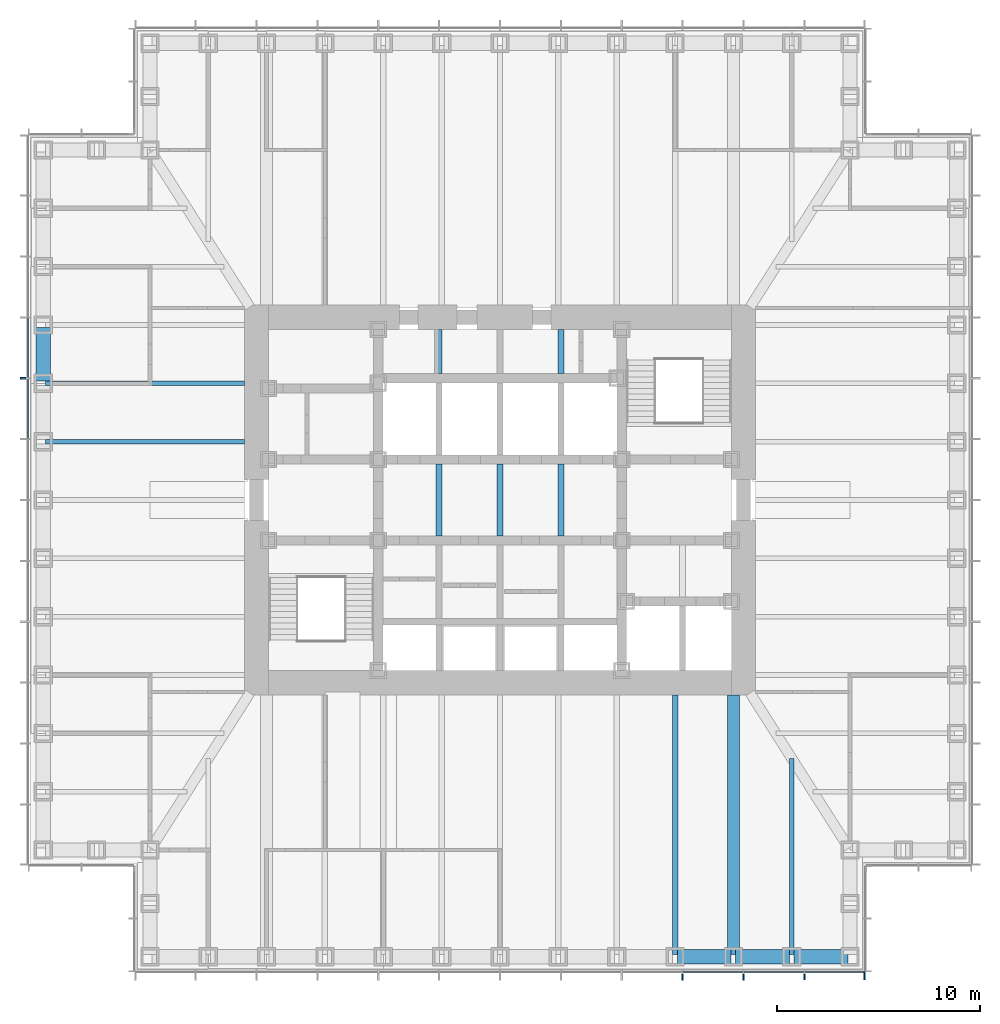
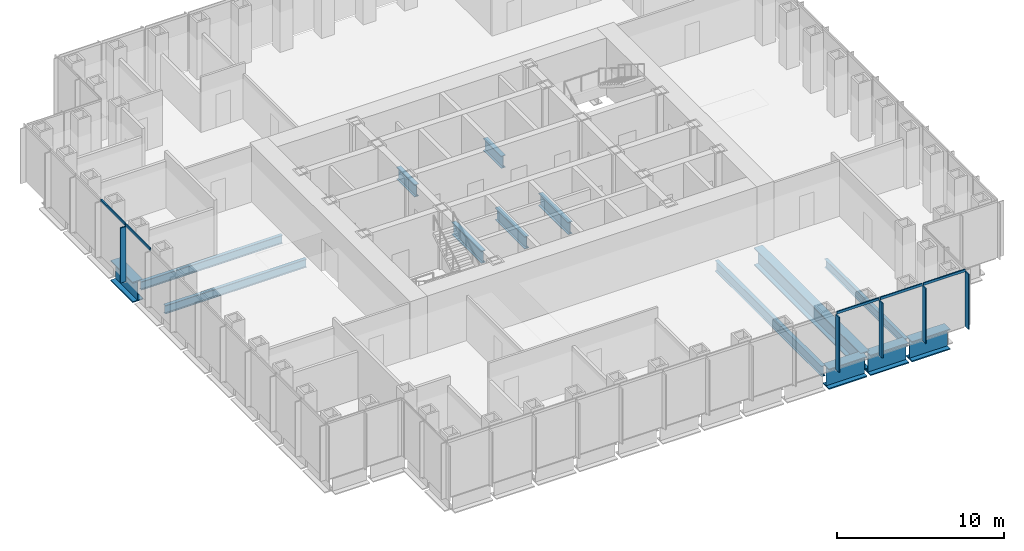
# One storey, part 3 of 17: 14 beams, 10 members, 2 elements without a shape of their own.
"""IFC4 building model written with IfcOpenShell, lengths in metres."""

from ifc_helpers import new_model, si_unit, direction, frame, origin, origin_2d, place, context, subcontext, project, spatial, rectangle, i_section, extrude, material, material_profile, profile_set, type_object, element, aggregate, save


model = new_model("IFC4")

# Units and contexts
model_context = context("Model", 3, precision=1e-05, world=origin(), true_north=direction((0.0, 1.0)))
body_context = subcontext(model_context, "Body", "Model", "MODEL_VIEW")
ifc_project = project(units=[si_unit("LENGTHUNIT", "METRE"), si_unit("AREAUNIT", "SQUARE_METRE"), si_unit("VOLUMEUNIT", "CUBIC_METRE"), si_unit("PLANEANGLEUNIT", "RADIAN"), si_unit("MASSUNIT", "GRAM", prefix="KILO")], contexts=[model_context])

# Site, building, storey
site_placement = place(None, origin())
site = spatial("IfcSite", under=ifc_project, at=site_placement, CompositionType="ELEMENT")
building_placement = place(site_placement, origin())
building = spatial("IfcBuilding", under=site, at=building_placement, Name="Daluyong Arena Tower", CompositionType="ELEMENT")
storey_placement = place(building_placement, frame((0.0, 0.0, 154.300048828125)))
storey = spatial("IfcBuildingStorey", under=building, at=storey_placement, Name="L34", CompositionType="ELEMENT", Elevation=154.300048828125)

# Curtain wall, members
ifc_material_1 = material(Name="Bronze anodised aluminium and glass", Category="aluminium")
curtain_wall_type = type_object("IfcCurtainWallType", Name="Curtain wall CW2", PredefinedType="USERDEFINED", material=ifc_material_1)
curtain_wall_1_placement = place(storey_placement, origin())
curtain_wall_1 = element("IfcCurtainWall", 1, at=curtain_wall_1_placement, inside=storey, type_object=curtain_wall_type, Name="curtain wall L34 S", ObjectType="UNITISED CURTAIN WALL", PredefinedType="USERDEFINED")
ifc_material_2 = material(Name="Bronze anodised aluminium fin", Category="aluminium")
ifc_material_profile_1 = material_profile(ifc_material_2, rectangle(XDim=0.39990234375, YDim=0.080078125, at=origin_2d()))
ifc_profile_set_1 = profile_set([ifc_material_profile_1], Name="Bronze anodised aluminium fin")
member_type_1 = type_object("IfcMemberType", Name="CW2 bronze fin 400x80", PredefinedType="MULLION", material=ifc_profile_set_1)
member_1_placement = place(storey_placement, frame((65.0, 56.550048828125, 0.0), z_axis=(0.0, 0.0, 1.0), x_axis=(0.0, 1.0, 0.0)))
member_1 = element("IfcMember", 2, at=member_1_placement, type_object=member_type_1, Name="curtain wall L34 S fin 10", PredefinedType="MULLION", context=body_context, shape_type="SweptSolid", body=[
    extrude(rectangle(XDim=0.39990234375, YDim=0.080078125, at=origin_2d()), origin(), (0.0, 0.0, 1.0), 4.02001953125),
])
member_2_placement = place(storey_placement, frame((68.0, 56.550048828125, 0.0), z_axis=(0.0, 0.0, 1.0), x_axis=(0.0, 1.0, 0.0)))
member_2 = element("IfcMember", 3, at=member_2_placement, type_object=member_type_1, Name="curtain wall L34 S fin 11", PredefinedType="MULLION", context=body_context, shape_type="SweptSolid", body=[
    extrude(rectangle(XDim=0.39990234375, YDim=0.080078125, at=origin_2d()), origin(), (0.0, 0.0, 1.0), 4.02001953125),
])
member_3_placement = place(storey_placement, frame((71.0, 56.550048828125, 0.0), z_axis=(0.0, 0.0, 1.0), x_axis=(0.0, 1.0, 0.0)))
member_3 = element("IfcMember", 4, at=member_3_placement, type_object=member_type_1, Name="curtain wall L34 S fin 12", PredefinedType="MULLION", context=body_context, shape_type="SweptSolid", body=[
    extrude(rectangle(XDim=0.39990234375, YDim=0.080078125, at=origin_2d()), origin(), (0.0, 0.0, 1.0), 4.02001953125),
])
member_4_placement = place(storey_placement, frame((73.9599609375, 56.550048828125, 0.0), z_axis=(0.0, 0.0, 1.0), x_axis=(0.0, 1.0, 0.0)))
member_4 = element("IfcMember", 5, at=member_4_placement, type_object=member_type_1, Name="curtain wall L34 S fin 13", PredefinedType="MULLION", context=body_context, shape_type="SweptSolid", body=[
    extrude(rectangle(XDim=0.39990234375, YDim=0.080078125, at=origin_2d()), origin(), (0.0, 0.0, 1.0), 4.02001953125),
])

# Curtain wall, member
curtain_wall_2_placement = place(storey_placement, origin())
curtain_wall_2 = element("IfcCurtainWall", 6, at=curtain_wall_2_placement, inside=storey, type_object=curtain_wall_type, Name="curtain wall L34 W", ObjectType="UNITISED CURTAIN WALL", PredefinedType="USERDEFINED")
member_5_placement = place(storey_placement, frame((32.550048828125, 86.0, 0.0), z_axis=(0.0, 0.0, 1.0), x_axis=(1.0, 0.0, 0.0)))
member_5 = element("IfcMember", 7, at=member_5_placement, type_object=member_type_1, Name="curtain wall L34 W fin 5", PredefinedType="MULLION", context=body_context, shape_type="SweptSolid", body=[
    extrude(rectangle(XDim=0.39990234375, YDim=0.080078125, at=origin_2d()), origin(), (0.0, 0.0, 1.0), 4.02001953125),
])

# Member
ifc_material_3 = material(Name="Bronze anodised aluminium", Category="aluminium")
ifc_material_profile_2 = material_profile(ifc_material_3, rectangle(XDim=0.080078125, YDim=0.179931640625, at=origin_2d()))
ifc_profile_set_2 = profile_set([ifc_material_profile_2], Name="Bronze anodised aluminium")
member_type_2 = type_object("IfcMemberType", Name="CW2 stack transom 180x80", PredefinedType="USERDEFINED", material=ifc_profile_set_2)
member_6_placement = place(storey_placement, frame((65.0400390625, 56.75, 4.10986328125), z_axis=(1.0, 0.0, 0.0), x_axis=(0.0, 1.0, 0.0)))
member_6 = element("IfcMember", 8, at=member_6_placement, type_object=member_type_2, Name="curtain wall L34 S transom 10", ObjectType="TRANSOM", PredefinedType="USERDEFINED", context=body_context, shape_type="SweptSolid", body=[
    extrude(rectangle(XDim=0.080078125, YDim=0.179931640625, at=origin_2d()), origin(), (0.0, 0.0, 1.0), 2.919921875),
])

member_7_placement = place(storey_placement, frame((68.0400390625, 56.75, 4.10986328125), z_axis=(1.0, 0.0, 0.0), x_axis=(0.0, 1.0, 0.0)))
member_7 = element("IfcMember", 9, at=member_7_placement, type_object=member_type_2, Name="curtain wall L34 S transom 11", ObjectType="TRANSOM", PredefinedType="USERDEFINED", context=body_context, shape_type="SweptSolid", body=[
    extrude(rectangle(XDim=0.080078125, YDim=0.179931640625, at=origin_2d()), origin(), (0.0, 0.0, 1.0), 2.919921875),
])

member_8_placement = place(storey_placement, frame((71.0400390625, 56.75, 4.10986328125), z_axis=(1.0, 0.0, 0.0), x_axis=(0.0, 1.0, 0.0)))
member_8 = element("IfcMember", 10, at=member_8_placement, type_object=member_type_2, Name="curtain wall L34 S transom 12", ObjectType="TRANSOM", PredefinedType="USERDEFINED", context=body_context, shape_type="SweptSolid", body=[
    extrude(rectangle(XDim=0.080078125, YDim=0.179931640625, at=origin_2d()), origin(), (0.0, 0.0, 1.0), 2.8798828125),
])

aggregate(curtain_wall_1, [member_1, member_2, member_3, member_4, member_6, member_7, member_8])

member_9_placement = place(storey_placement, frame((32.75, 88.9599609375, 4.10986328125), z_axis=(0.0, -1.0, 0.0), x_axis=(1.0, 0.0, 0.0)))
member_9 = element("IfcMember", 11, at=member_9_placement, type_object=member_type_2, Name="curtain wall L34 W transom 4", ObjectType="TRANSOM", PredefinedType="USERDEFINED", context=body_context, shape_type="SweptSolid", body=[
    extrude(rectangle(XDim=0.080078125, YDim=0.179931640625, at=origin_2d()), origin(), (0.0, 0.0, 1.0), 2.919921875),
])

member_10_placement = place(storey_placement, frame((32.75, 85.9599609375, 4.10986328125), z_axis=(0.0, -1.0, 0.0), x_axis=(1.0, 0.0, 0.0)))
member_10 = element("IfcMember", 12, at=member_10_placement, type_object=member_type_2, Name="curtain wall L34 W transom 5", ObjectType="TRANSOM", PredefinedType="USERDEFINED", context=body_context, shape_type="SweptSolid", body=[
    extrude(rectangle(XDim=0.080078125, YDim=0.179931640625, at=origin_2d()), origin(), (0.0, 0.0, 1.0), 2.919921875),
])

aggregate(curtain_wall_2, [member_5, member_9, member_10])

# Beams
ifc_material_4 = material(Name="Steel ASTM A572 Grade 50", Category="steel")
ifc_material_profile_3 = material_profile(ifc_material_4, i_section(OverallWidth=0.60009765625, OverallDepth=1.300048828125, WebThickness=0.035, FlangeThickness=0.07, at=origin_2d()))
ifc_profile_set_3 = profile_set([ifc_material_profile_3], Name="Steel ASTM A572 Grade 50")
beam_type_1 = type_object("IfcBeamType", Name="Floor beam TB1300X600", PredefinedType="BEAM", material=ifc_profile_set_3)
beam_1_placement = place(storey_placement, frame((67.5, 57.614990234375, -0.81005859375), z_axis=(0.0, 1.0, 0.0), x_axis=(-1.0, 0.0, 0.0)))
element("IfcBeam", 13, at=beam_1_placement, inside=storey, type_object=beam_type_1, Name="floor beam FB7", PredefinedType="BEAM", context=body_context, shape_type="SweptSolid", body=[
    extrude(i_section(OverallWidth=0.60009765625, OverallDepth=1.300048828125, WebThickness=0.035, FlangeThickness=0.07, at=origin_2d()), origin(), (0.0, 0.0, 1.0), 12.784912109375),
])
ifc_material_5 = material(Name="Steel ASTM A992 Grade 50", Category="steel")
ifc_material_profile_4 = material_profile(ifc_material_5, i_section(OverallWidth=0.22900390625, OverallDepth=0.612060546875, WebThickness=0.011962890625, FlangeThickness=0.01953125, at=origin_2d()))
ifc_profile_set_4 = profile_set([ifc_material_profile_4], Name="Steel ASTM A992 Grade 50")
beam_type_2 = type_object("IfcBeamType", Name="Floor beam W24X84", PredefinedType="BEAM", material=ifc_profile_set_4)
beam_2_placement = place(storey_placement, frame((70.375, 57.614990234375, -0.466064453125), z_axis=(0.0, 1.0, 0.0), x_axis=(-1.0, 0.0, 0.0)))
element("IfcBeam", 14, at=beam_2_placement, inside=storey, type_object=beam_type_2, Name="floor beam FB3", PredefinedType="BEAM", context=body_context, shape_type="SweptSolid", body=[
    extrude(i_section(OverallWidth=0.22900390625, OverallDepth=0.612060546875, WebThickness=0.011962890625, FlangeThickness=0.01953125, at=origin_2d()), origin(), (0.0, 0.0, 1.0), 9.65283203125),
])
for number, where, z_axis, x_axis, name in (
    (15, (33.614990234375, 85.75, -0.466064453125), (1.0, 0.0, 0.0), (0.0, 1.0, 0.0), "floor beam FB3"),
    (16, (33.614990234375, 82.875, -0.466064453125), (1.0, 0.0, 0.0), (0.0, 1.0, 0.0), "floor beam FB3"),
):
    element("IfcBeam", number, at=place(storey_placement, frame(where, z_axis=z_axis, x_axis=x_axis)), inside=storey, type_object=beam_type_2, Name=name, PredefinedType="BEAM", context=body_context, shape_type="SweptSolid", body=[
        extrude(i_section(OverallWidth=0.22900390625, OverallDepth=0.612060546875, WebThickness=0.011962890625, FlangeThickness=0.01953125, at=origin_2d()), origin(), (0.0, 0.0, 1.0), 9.784912109375),
    ])
ifc_material_6 = material(Name="Steel ASTM A992 Grade 50", Category="steel")
ifc_material_profile_5 = material_profile(ifc_material_6, i_section(OverallWidth=0.2666015625, OverallDepth=0.761962890625, WebThickness=0.014404296875, FlangeThickness=0.021484375, at=origin_2d()))
ifc_profile_set_5 = profile_set([ifc_material_profile_5], Name="Steel ASTM A992 Grade 50")
beam_type_3 = type_object("IfcBeamType", Name="Floor beam W30X116", PredefinedType="BEAM", material=ifc_profile_set_5)
beam_3_placement = place(storey_placement, frame((64.625, 57.614990234375, -0.541015625), z_axis=(0.0, 1.0, 0.0), x_axis=(-1.0, 0.0, 0.0)))
element("IfcBeam", 17, at=beam_3_placement, inside=storey, type_object=beam_type_3, Name="floor beam FB4", PredefinedType="BEAM", context=body_context, shape_type="SweptSolid", body=[
    extrude(i_section(OverallWidth=0.2666015625, OverallDepth=0.761962890625, WebThickness=0.014404296875, FlangeThickness=0.021484375, at=origin_2d()), origin(), (0.0, 0.0, 1.0), 12.784912109375),
])
ifc_material_7 = material(Name="Steel ASTM A572 Grade 50", Category="steel")
ifc_material_profile_6 = material_profile(ifc_material_7, i_section(OverallWidth=0.300048828125, OverallDepth=0.89990234375, WebThickness=0.025, FlangeThickness=0.04, at=origin_2d()))
ifc_profile_set_6 = profile_set([ifc_material_profile_6], Name="Steel ASTM A572 Grade 50")
beam_type_4 = type_object("IfcBeamType", Name="Lift divider beam PG900X300", PredefinedType="BEAM", material=ifc_profile_set_6)
beam_4_placement = place(storey_placement, frame((53.0, 78.22509765625, -0.610107421875), z_axis=(0.0, 1.0, 0.0), x_axis=(-1.0, 0.0, 0.0)))
element("IfcBeam", 18, at=beam_4_placement, inside=storey, type_object=beam_type_4, Name="lift divider beam DB1", PredefinedType="BEAM", context=body_context, shape_type="SweptSolid", body=[
    extrude(i_section(OverallWidth=0.300048828125, OverallDepth=0.89990234375, WebThickness=0.025, FlangeThickness=0.04, at=origin_2d()), origin(), (0.0, 0.0, 1.0), 3.5498046875),
])
beam_5_placement = place(storey_placement, frame((53.0, 86.22509765625, -0.610107421875), z_axis=(0.0, 1.0, 0.0), x_axis=(-1.0, 0.0, 0.0)))
element("IfcBeam", 19, at=beam_5_placement, inside=storey, type_object=beam_type_4, Name="lift divider beam DB1", PredefinedType="BEAM", context=body_context, shape_type="SweptSolid", body=[
    extrude(i_section(OverallWidth=0.300048828125, OverallDepth=0.89990234375, WebThickness=0.025, FlangeThickness=0.04, at=origin_2d()), origin(), (0.0, 0.0, 1.0), 2.1748046875),
])
for number, where, z_axis, x_axis, name in (
    (20, (56.0, 78.22509765625, -0.610107421875), (0.0, 1.0, 0.0), (-1.0, 0.0, 0.0), "lift divider beam DB1"),
    (21, (59.0, 78.22509765625, -0.610107421875), (0.0, 1.0, 0.0), (-1.0, 0.0, 0.0), "lift divider beam DB1"),
):
    element("IfcBeam", number, at=place(storey_placement, frame(where, z_axis=z_axis, x_axis=x_axis)), inside=storey, type_object=beam_type_4, Name=name, PredefinedType="BEAM", context=body_context, shape_type="SweptSolid", body=[
        extrude(i_section(OverallWidth=0.300048828125, OverallDepth=0.89990234375, WebThickness=0.025, FlangeThickness=0.04, at=origin_2d()), origin(), (0.0, 0.0, 1.0), 3.5498046875),
    ])
beam_6_placement = place(storey_placement, frame((59.0, 86.22509765625, -0.610107421875), z_axis=(0.0, 1.0, 0.0), x_axis=(-1.0, 0.0, 0.0)))
element("IfcBeam", 22, at=beam_6_placement, inside=storey, type_object=beam_type_4, Name="lift divider beam DB1", PredefinedType="BEAM", context=body_context, shape_type="SweptSolid", body=[
    extrude(i_section(OverallWidth=0.300048828125, OverallDepth=0.89990234375, WebThickness=0.025, FlangeThickness=0.04, at=origin_2d()), origin(), (0.0, 0.0, 1.0), 2.1748046875),
])
ifc_material_8 = material(Name="Steel ASTM A572 Grade 50", Category="steel")
ifc_material_profile_7 = material_profile(ifc_material_8, i_section(OverallWidth=0.699951171875, OverallDepth=1.5, WebThickness=0.04, FlangeThickness=0.08, at=origin_2d()))
ifc_profile_set_7 = profile_set([ifc_material_profile_7], Name="Steel ASTM A572 Grade 50")
beam_type_5 = type_object("IfcBeamType", Name="Spandrel Z2 PG1500X700", PredefinedType="SPANDREL", material=ifc_profile_set_7)
for number, where, z_axis, x_axis, name in (
    (23, (64.739990234375, 57.5, -0.91015625), (1.0, 0.0, 0.0), (0.0, 1.0, 0.0), "spandrel z2 SB6"),
    (24, (67.614990234375, 57.5, -0.91015625), (1.0, 0.0, 0.0), (0.0, 1.0, 0.0), "spandrel z2 SB6"),
    (25, (70.489990234375, 57.5, -0.91015625), (1.0, 0.0, 0.0), (0.0, 1.0, 0.0), "spandrel z2 SB6"),
    (26, (33.5, 88.510009765625, -0.91015625), (0.0, -1.0, 0.0), (1.0, 0.0, 0.0), "spandrel z2 SB6"),
):
    element("IfcBeam", number, at=place(storey_placement, frame(where, z_axis=z_axis, x_axis=x_axis)), inside=storey, type_object=beam_type_5, Name=name, PredefinedType="SPANDREL", context=body_context, shape_type="SweptSolid", body=[
        extrude(i_section(OverallWidth=0.699951171875, OverallDepth=1.5, WebThickness=0.04, FlangeThickness=0.08, at=origin_2d()), origin(), (0.0, 0.0, 1.0), 2.64501953125),
    ])

save(model, "model.ifc")
